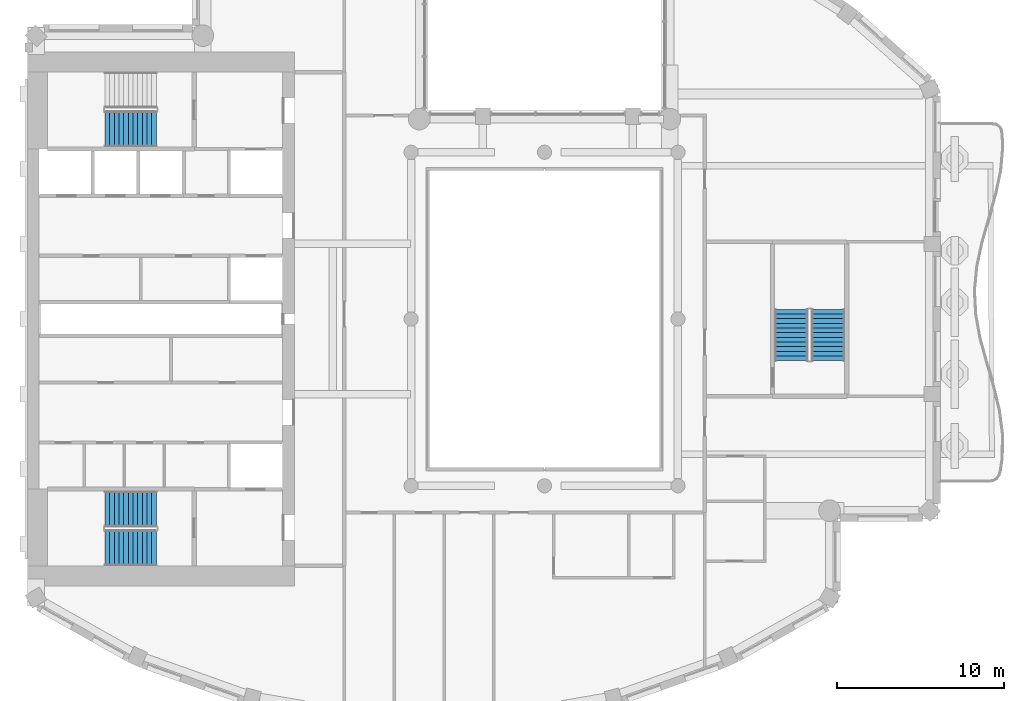
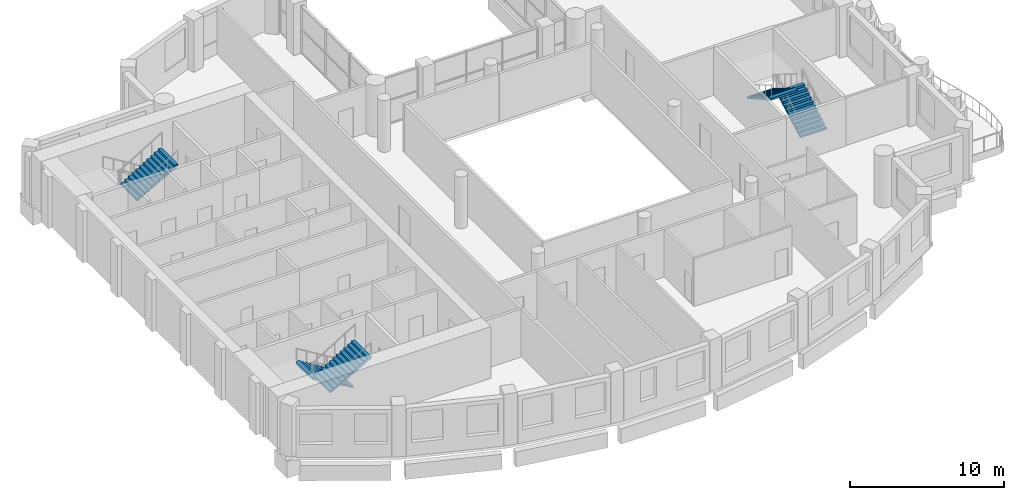
# One storey, part 9 of 15: 5 stair flights, 3 elements without a shape of their own.
"""IFC4 building model written with IfcOpenShell, lengths in metres."""

from ifc_helpers import new_model, si_unit, direction, frame, origin, place, context, subcontext, project, spatial, triangles, material, type_object, element, aggregate, save


model = new_model("IFC4")

# Units and contexts
model_context = context("Model", 3, precision=1e-05, world=origin(), true_north=direction((0.0, 1.0)))
body_context = subcontext(model_context, "Body", "Model", "MODEL_VIEW")
ifc_project = project(units=[si_unit("LENGTHUNIT", "METRE"), si_unit("AREAUNIT", "SQUARE_METRE"), si_unit("VOLUMEUNIT", "CUBIC_METRE"), si_unit("PLANEANGLEUNIT", "RADIAN"), si_unit("MASSUNIT", "GRAM", prefix="KILO")], contexts=[model_context])

# Site, building, storey
site_placement = place(None, origin())
site = spatial("IfcSite", under=ifc_project, at=site_placement, CompositionType="ELEMENT")
building_placement = place(site_placement, origin())
building = spatial("IfcBuilding", under=site, at=building_placement, Name="Cypress Arch Tower", CompositionType="ELEMENT")
storey_placement = place(building_placement, frame((0.0, 0.0, 243.39990234375)))
storey = spatial("IfcBuildingStorey", under=building, at=storey_placement, Name="L54", CompositionType="ELEMENT", Elevation=243.39990234375)

# Stair, stair flights
ifc_material_1 = material(Name="Concrete C40/50", Category="concrete")
stair_type_1 = type_object("IfcStairType", Name="Exit stair ES1708-200", PredefinedType="HALF_TURN_STAIR", material=ifc_material_1)
stair_1_placement = place(storey_placement, origin())
stair_1 = element("IfcStair", 1, at=stair_1_placement, inside=storey, type_object=stair_type_1, Name="L54 Exit stair C", PredefinedType="HALF_TURN_STAIR")
ifc_material_2 = material(Name="Concrete C40/50", Category="concrete")
stair_flight_type_1 = type_object("IfcStairFlightType", Name="Exit stair flight ES1708-200", PredefinedType="STRAIGHT", material=ifc_material_2)
stair_flight_1_placement = place(storey_placement, frame((18.0, -2.5, 0.0), z_axis=(0.0, 0.0, 1.0), x_axis=(0.0, 1.0, 0.0)))
stair_flight_1 = element("IfcStairFlight", 2, at=stair_flight_1_placement, type_object=stair_flight_type_1, Name="C flight 1", NumberOfRisers=12, NumberOfTreads=11, PredefinedType="STRAIGHT", RiserHeight=0.170833333, TreadLength=0.28, context=body_context, shape_type="Tessellation", body=[
    triangles([(0.0, -1.0, 0.0), (0.0, -1.0, 0.1708984375), (0.280029296875, -1.0, 0.1708984375), (0.280029296875, -1.0, 0.341552734375), (0.56005859375, -1.0, 0.341552734375), (0.56005859375, -1.0, 0.512451171875), (0.840087890625, -1.0, 0.512451171875), (0.840087890625, -1.0, 0.683349609375), (1.1201171875, -1.0, 0.683349609375), (1.1201171875, -1.0, 0.854248046875), (1.39990234375, -1.0, 0.854248046875), (1.39990234375, -1.0, 1.02490234375), (1.679931640625, -1.0, 1.02490234375), (1.679931640625, -1.0, 1.19580078125), (1.9599609375, -1.0, 1.19580078125), (1.9599609375, -1.0, 1.36669921875), (2.239990234375, -1.0, 1.36669921875), (2.239990234375, -1.0, 1.53759765625), (2.52001953125, -1.0, 1.53759765625), (2.52001953125, -1.0, 1.708251953125), (2.800048828125, -1.0, 1.708251953125), (2.800048828125, -1.0, 1.879150390625), (3.080078125, -1.0, 1.879150390625), (3.080078125, -1.0, 1.70361328125), (3.080078125, 1.0, 1.70361328125), (3.080078125, 1.0, 1.879150390625), (2.800048828125, 1.0, 1.879150390625), (2.800048828125, 1.0, 1.708251953125), (2.52001953125, 1.0, 1.708251953125), (2.52001953125, 1.0, 1.53759765625), (2.239990234375, 1.0, 1.53759765625), (2.239990234375, 1.0, 1.36669921875), (1.9599609375, 1.0, 1.36669921875), (1.9599609375, 1.0, 1.19580078125), (1.679931640625, 1.0, 1.19580078125), (1.679931640625, 1.0, 1.02490234375), (1.39990234375, 1.0, 1.02490234375), (1.39990234375, 1.0, 0.854248046875), (1.1201171875, 1.0, 0.854248046875), (1.1201171875, 1.0, 0.683349609375), (0.840087890625, 1.0, 0.683349609375), (0.840087890625, 1.0, 0.512451171875), (0.56005859375, 1.0, 0.512451171875), (0.56005859375, 1.0, 0.341552734375), (0.280029296875, 1.0, 0.341552734375), (0.280029296875, 1.0, 0.1708984375), (0.0, 1.0, 0.1708984375), (0.0, 1.0, 0.0), (3.080078125, 0.0, 1.879150390625), (3.080078125, 0.0, 1.70361328125), (2.800048828125, 0.0, 1.879150390625), (2.800048828125, 0.0, 1.708251953125), (2.52001953125, 0.0, 1.708251953125), (2.52001953125, 0.0, 1.53759765625), (2.239990234375, 0.0, 1.53759765625), (2.239990234375, 0.0, 1.36669921875), (1.9599609375, 0.0, 1.36669921875), (1.9599609375, 0.0, 1.19580078125), (1.679931640625, 0.0, 1.19580078125), (1.679931640625, 0.0, 1.02490234375), (1.39990234375, 0.0, 1.02490234375), (1.39990234375, 0.0, 0.854248046875), (1.1201171875, 0.0, 0.854248046875), (1.1201171875, 0.0, 0.683349609375), (0.840087890625, 0.0, 0.683349609375), (0.840087890625, 0.0, 0.512451171875), (0.56005859375, 0.0, 0.512451171875), (0.56005859375, 0.0, 0.341552734375), (0.280029296875, 0.0, 0.341552734375), (0.280029296875, 0.0, 0.1708984375), (0.0, 0.0, 0.1708984375), (0.0, 0.0, 0.0)], [[24, 23, 22], [11, 10, 9], [19, 18, 17], [17, 16, 15], [15, 14, 13], [9, 8, 7], [7, 6, 5], [3, 2, 1], [21, 20, 19], [13, 12, 11], [5, 4, 3], [24, 22, 21], [24, 21, 19], [24, 19, 17], [24, 17, 15], [24, 15, 13], [24, 13, 11], [24, 11, 9], [24, 9, 7], [24, 7, 5], [1, 24, 5], [5, 3, 1], [25, 27, 26], [38, 40, 39], [30, 32, 31], [32, 34, 33], [34, 36, 35], [40, 42, 41], [42, 44, 43], [46, 48, 47], [28, 30, 29], [36, 38, 37], [44, 46, 45], [25, 28, 27], [25, 30, 28], [25, 32, 30], [25, 34, 32], [25, 36, 34], [25, 38, 36], [25, 40, 38], [25, 42, 40], [25, 44, 42], [48, 44, 25], [44, 48, 46], [50, 49, 23], [50, 23, 24], [25, 26, 49], [25, 49, 50], [49, 51, 22], [49, 22, 23], [26, 27, 51], [26, 51, 49], [51, 52, 21], [51, 21, 22], [27, 28, 52], [27, 52, 51], [52, 53, 20], [52, 20, 21], [28, 29, 53], [28, 53, 52], [53, 54, 19], [53, 19, 20], [29, 30, 54], [29, 54, 53], [54, 55, 18], [54, 18, 19], [30, 31, 55], [30, 55, 54], [55, 56, 17], [55, 17, 18], [31, 32, 56], [31, 56, 55], [56, 57, 16], [56, 16, 17], [32, 33, 57], [32, 57, 56], [57, 58, 15], [57, 15, 16], [33, 34, 58], [33, 58, 57], [58, 59, 14], [58, 14, 15], [34, 35, 59], [34, 59, 58], [59, 60, 13], [59, 13, 14], [35, 36, 60], [35, 60, 59], [60, 61, 12], [60, 12, 13], [36, 37, 61], [36, 61, 60], [61, 62, 11], [61, 11, 12], [37, 38, 62], [37, 62, 61], [62, 63, 10], [62, 10, 11], [38, 39, 63], [38, 63, 62], [63, 64, 9], [63, 9, 10], [39, 40, 64], [39, 64, 63], [64, 65, 8], [64, 8, 9], [40, 41, 65], [40, 65, 64], [65, 66, 7], [65, 7, 8], [41, 42, 66], [41, 66, 65], [66, 67, 6], [66, 6, 7], [42, 43, 67], [42, 67, 66], [67, 68, 5], [67, 5, 6], [43, 44, 68], [43, 68, 67], [68, 69, 4], [68, 4, 5], [44, 45, 69], [44, 69, 68], [69, 70, 3], [69, 3, 4], [45, 46, 70], [45, 70, 69], [70, 71, 2], [70, 2, 3], [46, 47, 71], [46, 71, 70], [71, 72, 1], [71, 1, 2], [47, 48, 72], [47, 72, 71], [72, 50, 24], [72, 24, 1], [48, 25, 50], [48, 50, 72]], closed=True),
])
stair_flight_2_placement = place(storey_placement, frame((15.800048828125, 0.580078125, 2.050048828125), z_axis=(0.0, 0.0, 1.0), x_axis=(0.0, -1.0, 0.0)))
stair_flight_2 = element("IfcStairFlight", 3, at=stair_flight_2_placement, type_object=stair_flight_type_1, Name="C flight 2", NumberOfRisers=12, NumberOfTreads=11, PredefinedType="STRAIGHT", RiserHeight=0.170833333, TreadLength=0.28, context=body_context, shape_type="Tessellation", body=[
    triangles([(0.0, -1.0, 0.0), (0.0, -1.0, 0.1708984375), (0.280029296875, -1.0, 0.1708984375), (0.280029296875, -1.0, 0.341552734375), (0.56005859375, -1.0, 0.341552734375), (0.56005859375, -1.0, 0.512451171875), (0.840087890625, -1.0, 0.512451171875), (0.840087890625, -1.0, 0.683349609375), (1.1201171875, -1.0, 0.683349609375), (1.1201171875, -1.0, 0.854248046875), (1.39990234375, -1.0, 0.854248046875), (1.39990234375, -1.0, 1.02490234375), (1.679931640625, -1.0, 1.02490234375), (1.679931640625, -1.0, 1.19580078125), (1.9599609375, -1.0, 1.19580078125), (1.9599609375, -1.0, 1.36669921875), (2.239990234375, -1.0, 1.36669921875), (2.239990234375, -1.0, 1.53759765625), (2.52001953125, -1.0, 1.53759765625), (2.52001953125, -1.0, 1.708251953125), (2.800048828125, -1.0, 1.708251953125), (2.800048828125, -1.0, 1.879150390625), (3.080078125, -1.0, 1.879150390625), (3.080078125, -1.0, 1.70361328125), (3.080078125, 1.0, 1.70361328125), (3.080078125, 1.0, 1.879150390625), (2.800048828125, 1.0, 1.879150390625), (2.800048828125, 1.0, 1.708251953125), (2.52001953125, 1.0, 1.708251953125), (2.52001953125, 1.0, 1.53759765625), (2.239990234375, 1.0, 1.53759765625), (2.239990234375, 1.0, 1.36669921875), (1.9599609375, 1.0, 1.36669921875), (1.9599609375, 1.0, 1.19580078125), (1.679931640625, 1.0, 1.19580078125), (1.679931640625, 1.0, 1.02490234375), (1.39990234375, 1.0, 1.02490234375), (1.39990234375, 1.0, 0.854248046875), (1.1201171875, 1.0, 0.854248046875), (1.1201171875, 1.0, 0.683349609375), (0.840087890625, 1.0, 0.683349609375), (0.840087890625, 1.0, 0.512451171875), (0.56005859375, 1.0, 0.512451171875), (0.56005859375, 1.0, 0.341552734375), (0.280029296875, 1.0, 0.341552734375), (0.280029296875, 1.0, 0.1708984375), (0.0, 1.0, 0.1708984375), (0.0, 1.0, 0.0), (3.080078125, 0.0, 1.879150390625), (3.080078125, 0.0, 1.70361328125), (2.800048828125, 0.0, 1.879150390625), (2.800048828125, 0.0, 1.708251953125), (2.52001953125, 0.0, 1.708251953125), (2.52001953125, 0.0, 1.53759765625), (2.239990234375, 0.0, 1.53759765625), (2.239990234375, 0.0, 1.36669921875), (1.9599609375, 0.0, 1.36669921875), (1.9599609375, 0.0, 1.19580078125), (1.679931640625, 0.0, 1.19580078125), (1.679931640625, 0.0, 1.02490234375), (1.39990234375, 0.0, 1.02490234375), (1.39990234375, 0.0, 0.854248046875), (1.1201171875, 0.0, 0.854248046875), (1.1201171875, 0.0, 0.683349609375), (0.840087890625, 0.0, 0.683349609375), (0.840087890625, 0.0, 0.512451171875), (0.56005859375, 0.0, 0.512451171875), (0.56005859375, 0.0, 0.341552734375), (0.280029296875, 0.0, 0.341552734375), (0.280029296875, 0.0, 0.1708984375), (0.0, 0.0, 0.1708984375), (0.0, 0.0, 0.0)], [[24, 23, 22], [11, 10, 9], [19, 18, 17], [17, 16, 15], [15, 14, 13], [9, 8, 7], [7, 6, 5], [3, 2, 1], [21, 20, 19], [13, 12, 11], [5, 4, 3], [24, 22, 21], [24, 21, 19], [24, 19, 17], [24, 17, 15], [24, 15, 13], [24, 13, 11], [24, 11, 9], [24, 9, 7], [24, 7, 5], [1, 24, 5], [5, 3, 1], [25, 27, 26], [38, 40, 39], [30, 32, 31], [32, 34, 33], [34, 36, 35], [40, 42, 41], [42, 44, 43], [46, 48, 47], [28, 30, 29], [36, 38, 37], [44, 46, 45], [25, 28, 27], [25, 30, 28], [25, 32, 30], [25, 34, 32], [25, 36, 34], [25, 38, 36], [25, 40, 38], [25, 42, 40], [25, 44, 42], [48, 44, 25], [44, 48, 46], [50, 49, 23], [50, 23, 24], [25, 26, 49], [25, 49, 50], [49, 51, 22], [49, 22, 23], [26, 27, 51], [26, 51, 49], [51, 52, 21], [51, 21, 22], [27, 28, 52], [27, 52, 51], [52, 53, 20], [52, 20, 21], [28, 29, 53], [28, 53, 52], [53, 54, 19], [53, 19, 20], [29, 30, 54], [29, 54, 53], [54, 55, 18], [54, 18, 19], [30, 31, 55], [30, 55, 54], [55, 56, 17], [55, 17, 18], [31, 32, 56], [31, 56, 55], [56, 57, 16], [56, 16, 17], [32, 33, 57], [32, 57, 56], [57, 58, 15], [57, 15, 16], [33, 34, 58], [33, 58, 57], [58, 59, 14], [58, 14, 15], [34, 35, 59], [34, 59, 58], [59, 60, 13], [59, 13, 14], [35, 36, 60], [35, 60, 59], [60, 61, 12], [60, 12, 13], [36, 37, 61], [36, 61, 60], [61, 62, 11], [61, 11, 12], [37, 38, 62], [37, 62, 61], [62, 63, 10], [62, 10, 11], [38, 39, 63], [38, 63, 62], [63, 64, 9], [63, 9, 10], [39, 40, 64], [39, 64, 63], [64, 65, 8], [64, 8, 9], [40, 41, 65], [40, 65, 64], [65, 66, 7], [65, 7, 8], [41, 42, 66], [41, 66, 65], [66, 67, 6], [66, 6, 7], [42, 43, 67], [42, 67, 66], [67, 68, 5], [67, 5, 6], [43, 44, 68], [43, 68, 67], [68, 69, 4], [68, 4, 5], [44, 45, 69], [44, 69, 68], [69, 70, 3], [69, 3, 4], [45, 46, 70], [45, 70, 69], [70, 71, 2], [70, 2, 3], [46, 47, 71], [46, 71, 70], [71, 72, 1], [71, 1, 2], [47, 48, 72], [47, 72, 71], [72, 50, 24], [72, 24, 1], [48, 25, 50], [48, 50, 72]], closed=True),
])
aggregate(stair_1, [stair_flight_1, stair_flight_2])

ifc_material_3 = material(Name="Concrete C40/50", Category="concrete")
stair_type_2 = type_object("IfcStairType", Name="Exit stair ES1708-215", PredefinedType="HALF_TURN_STAIR", material=ifc_material_3)
stair_2_placement = place(storey_placement, origin())
stair_2 = element("IfcStair", 4, at=stair_2_placement, inside=storey, type_object=stair_type_2, Name="L54 Exit stair A", PredefinedType="HALF_TURN_STAIR")
ifc_material_4 = material(Name="Concrete C40/50", Category="concrete")
stair_flight_type_2 = type_object("IfcStairFlightType", Name="Exit stair flight ES1708-215", PredefinedType="STRAIGHT", material=ifc_material_4)
stair_flight_3_placement = place(storey_placement, frame((-22.27490234375, -11.39990234375, 0.0), z_axis=(0.0, 0.0, 1.0), x_axis=(-1.0, 0.0, 0.0)))
stair_flight_3 = element("IfcStairFlight", 5, at=stair_flight_3_placement, type_object=stair_flight_type_2, Name="A flight 1", NumberOfRisers=12, NumberOfTreads=11, PredefinedType="STRAIGHT", RiserHeight=0.170833333, TreadLength=0.28, context=body_context, shape_type="Tessellation", body=[
    triangles([(0.0, -1.074951171875, 0.0), (0.000244140625, -1.074951171875, 0.01904296875), (0.000244140625, -1.074951171875, 0.0380859375), (0.00048828125, -1.074951171875, 0.056884765625), (0.00048828125, -1.074951171875, 0.075927734375), (0.00048828125, -1.074951171875, 0.094970703125), (0.00048828125, -1.074951171875, 0.114013671875), (0.000244140625, -1.074951171875, 0.1328125), (0.000244140625, -1.074951171875, 0.15185546875), (0.0, -1.074951171875, 0.1708984375), (0.280029296875, -1.074951171875, 0.1708984375), (0.280029296875, -1.074951171875, 0.341552734375), (0.56005859375, -1.074951171875, 0.341552734375), (0.56005859375, -1.074951171875, 0.512451171875), (0.840087890625, -1.074951171875, 0.512451171875), (0.840087890625, -1.074951171875, 0.683349609375), (1.1201171875, -1.074951171875, 0.683349609375), (1.1201171875, -1.074951171875, 0.854248046875), (1.39990234375, -1.074951171875, 0.854248046875), (1.39990234375, -1.074951171875, 1.02490234375), (1.679931640625, -1.074951171875, 1.02490234375), (1.679931640625, -1.074951171875, 1.19580078125), (1.9599609375, -1.074951171875, 1.19580078125), (1.9599609375, -1.074951171875, 1.36669921875), (2.239990234375, -1.074951171875, 1.36669921875), (2.239990234375, -1.074951171875, 1.53759765625), (2.52001953125, -1.074951171875, 1.53759765625), (2.52001953125, -1.074951171875, 1.708251953125), (2.800048828125, -1.074951171875, 1.708251953125), (2.800048828125, -1.074951171875, 1.879150390625), (3.080078125, -1.074951171875, 1.879150390625), (3.079833984375, -1.074951171875, 1.859619140625), (3.079833984375, -1.074951171875, 1.840087890625), (3.07958984375, -1.074951171875, 1.820556640625), (3.07958984375, -1.074951171875, 1.801025390625), (3.07958984375, -1.074951171875, 1.78173828125), (3.07958984375, -1.074951171875, 1.76220703125), (3.079833984375, -1.074951171875, 1.74267578125), (3.079833984375, -1.074951171875, 1.72314453125), (3.080078125, -1.074951171875, 1.70361328125), (3.080078125, 1.074951171875, 1.70361328125), (3.079833984375, 1.074951171875, 1.72314453125), (3.079833984375, 1.074951171875, 1.74267578125), (3.07958984375, 1.074951171875, 1.76220703125), (3.07958984375, 1.074951171875, 1.78173828125), (3.07958984375, 1.074951171875, 1.801025390625), (3.07958984375, 1.074951171875, 1.820556640625), (3.079833984375, 1.074951171875, 1.840087890625), (3.079833984375, 1.074951171875, 1.859619140625), (3.080078125, 1.074951171875, 1.879150390625), (2.800048828125, 1.074951171875, 1.879150390625), (2.800048828125, 1.074951171875, 1.708251953125), (2.52001953125, 1.074951171875, 1.708251953125), (2.52001953125, 1.074951171875, 1.53759765625), (2.239990234375, 1.074951171875, 1.53759765625), (2.239990234375, 1.074951171875, 1.36669921875), (1.9599609375, 1.074951171875, 1.36669921875), (1.9599609375, 1.074951171875, 1.19580078125), (1.679931640625, 1.074951171875, 1.19580078125), (1.679931640625, 1.074951171875, 1.02490234375), (1.39990234375, 1.074951171875, 1.02490234375), (1.39990234375, 1.074951171875, 0.854248046875), (1.1201171875, 1.074951171875, 0.854248046875), (1.1201171875, 1.074951171875, 0.683349609375), (0.840087890625, 1.074951171875, 0.683349609375), (0.840087890625, 1.074951171875, 0.512451171875), (0.56005859375, 1.074951171875, 0.512451171875), (0.56005859375, 1.074951171875, 0.341552734375), (0.280029296875, 1.074951171875, 0.341552734375), (0.280029296875, 1.074951171875, 0.1708984375), (0.0, 1.074951171875, 0.1708984375), (0.000244140625, 1.074951171875, 0.15185546875), (0.000244140625, 1.074951171875, 0.1328125), (0.00048828125, 1.074951171875, 0.114013671875), (0.00048828125, 1.074951171875, 0.094970703125), (0.00048828125, 1.074951171875, 0.075927734375), (0.00048828125, 1.074951171875, 0.056884765625), (0.000244140625, 1.074951171875, 0.0380859375), (0.000244140625, 1.074951171875, 0.01904296875), (0.0, 1.074951171875, 0.0)], [[40, 39, 30], [39, 38, 30], [38, 37, 30], [37, 36, 30], [36, 35, 30], [35, 34, 30], [34, 33, 30], [33, 32, 30], [32, 31, 30], [19, 18, 17], [27, 26, 25], [25, 24, 23], [23, 22, 21], [17, 16, 15], [15, 14, 13], [10, 9, 11], [9, 8, 11], [8, 7, 11], [7, 6, 11], [6, 5, 11], [5, 4, 11], [4, 3, 11], [3, 2, 11], [2, 1, 11], [29, 28, 27], [21, 20, 19], [13, 12, 11], [40, 30, 29], [40, 29, 27], [40, 27, 25], [40, 25, 23], [40, 23, 21], [40, 21, 19], [40, 19, 17], [40, 17, 15], [40, 15, 13], [1, 40, 13], [13, 11, 1], [41, 51, 42], [42, 51, 43], [43, 51, 44], [44, 51, 45], [45, 51, 46], [46, 51, 47], [47, 51, 48], [48, 51, 49], [49, 51, 50], [62, 64, 63], [54, 56, 55], [56, 58, 57], [58, 60, 59], [64, 66, 65], [66, 68, 67], [71, 70, 72], [72, 70, 73], [73, 70, 74], [74, 70, 75], [75, 70, 76], [76, 70, 77], [77, 70, 78], [78, 70, 79], [79, 70, 80], [52, 54, 53], [60, 62, 61], [68, 70, 69], [41, 52, 51], [41, 54, 52], [41, 56, 54], [41, 58, 56], [41, 60, 58], [41, 62, 60], [41, 64, 62], [41, 66, 64], [41, 68, 66], [80, 68, 41], [68, 80, 70], [41, 42, 39], [41, 39, 40], [42, 43, 38], [42, 38, 39], [43, 44, 37], [43, 37, 38], [44, 45, 36], [44, 36, 37], [45, 46, 35], [45, 35, 36], [46, 47, 34], [46, 34, 35], [47, 48, 33], [47, 33, 34], [48, 49, 32], [48, 32, 33], [49, 50, 31], [49, 31, 32], [50, 51, 30], [50, 30, 31], [51, 52, 29], [51, 29, 30], [52, 53, 28], [52, 28, 29], [53, 54, 27], [53, 27, 28], [54, 55, 26], [54, 26, 27], [55, 56, 25], [55, 25, 26], [56, 57, 24], [56, 24, 25], [57, 58, 23], [57, 23, 24], [58, 59, 22], [58, 22, 23], [59, 60, 21], [59, 21, 22], [60, 61, 20], [60, 20, 21], [61, 62, 19], [61, 19, 20], [62, 63, 18], [62, 18, 19], [63, 64, 17], [63, 17, 18], [64, 65, 16], [64, 16, 17], [65, 66, 15], [65, 15, 16], [66, 67, 14], [66, 14, 15], [67, 68, 13], [67, 13, 14], [68, 69, 12], [68, 12, 13], [69, 70, 11], [69, 11, 12], [70, 71, 10], [70, 10, 11], [71, 72, 9], [71, 9, 10], [72, 73, 8], [72, 8, 9], [73, 74, 7], [73, 7, 8], [74, 75, 6], [74, 6, 7], [75, 76, 5], [75, 5, 6], [76, 77, 4], [76, 4, 5], [77, 78, 3], [77, 3, 4], [78, 79, 2], [78, 2, 3], [79, 80, 1], [79, 1, 2], [80, 41, 40], [80, 40, 1]], closed=True),
])
stair_flight_4_placement = place(storey_placement, frame((-25.35498046875, -13.72509765625, 2.050048828125), z_axis=(0.0, 0.0, 1.0), x_axis=(1.0, 0.0, 0.0)))
stair_flight_4 = element("IfcStairFlight", 6, at=stair_flight_4_placement, type_object=stair_flight_type_2, Name="A flight 2", NumberOfRisers=12, NumberOfTreads=11, PredefinedType="STRAIGHT", RiserHeight=0.170833333, TreadLength=0.28, context=body_context, shape_type="Tessellation", body=[
    triangles([(0.0, -1.074951171875, 0.0), (0.000244140625, -1.074951171875, 0.01904296875), (0.000244140625, -1.074951171875, 0.0380859375), (0.00048828125, -1.074951171875, 0.056884765625), (0.00048828125, -1.074951171875, 0.075927734375), (0.00048828125, -1.074951171875, 0.094970703125), (0.00048828125, -1.074951171875, 0.114013671875), (0.000244140625, -1.074951171875, 0.1328125), (0.000244140625, -1.074951171875, 0.15185546875), (0.0, -1.074951171875, 0.1708984375), (0.280029296875, -1.074951171875, 0.1708984375), (0.280029296875, -1.074951171875, 0.341552734375), (0.56005859375, -1.074951171875, 0.341552734375), (0.56005859375, -1.074951171875, 0.512451171875), (0.840087890625, -1.074951171875, 0.512451171875), (0.840087890625, -1.074951171875, 0.683349609375), (1.1201171875, -1.074951171875, 0.683349609375), (1.1201171875, -1.074951171875, 0.854248046875), (1.39990234375, -1.074951171875, 0.854248046875), (1.39990234375, -1.074951171875, 1.02490234375), (1.679931640625, -1.074951171875, 1.02490234375), (1.679931640625, -1.074951171875, 1.19580078125), (1.9599609375, -1.074951171875, 1.19580078125), (1.9599609375, -1.074951171875, 1.36669921875), (2.239990234375, -1.074951171875, 1.36669921875), (2.239990234375, -1.074951171875, 1.53759765625), (2.52001953125, -1.074951171875, 1.53759765625), (2.52001953125, -1.074951171875, 1.708251953125), (2.800048828125, -1.074951171875, 1.708251953125), (2.800048828125, -1.074951171875, 1.879150390625), (3.080078125, -1.074951171875, 1.879150390625), (3.079833984375, -1.074951171875, 1.859619140625), (3.079833984375, -1.074951171875, 1.840087890625), (3.07958984375, -1.074951171875, 1.820556640625), (3.07958984375, -1.074951171875, 1.801025390625), (3.07958984375, -1.074951171875, 1.78173828125), (3.07958984375, -1.074951171875, 1.76220703125), (3.079833984375, -1.074951171875, 1.74267578125), (3.079833984375, -1.074951171875, 1.72314453125), (3.080078125, -1.074951171875, 1.70361328125), (3.080078125, 1.074951171875, 1.70361328125), (3.079833984375, 1.074951171875, 1.72314453125), (3.079833984375, 1.074951171875, 1.74267578125), (3.07958984375, 1.074951171875, 1.76220703125), (3.07958984375, 1.074951171875, 1.78173828125), (3.07958984375, 1.074951171875, 1.801025390625), (3.07958984375, 1.074951171875, 1.820556640625), (3.079833984375, 1.074951171875, 1.840087890625), (3.079833984375, 1.074951171875, 1.859619140625), (3.080078125, 1.074951171875, 1.879150390625), (2.800048828125, 1.074951171875, 1.879150390625), (2.800048828125, 1.074951171875, 1.708251953125), (2.52001953125, 1.074951171875, 1.708251953125), (2.52001953125, 1.074951171875, 1.53759765625), (2.239990234375, 1.074951171875, 1.53759765625), (2.239990234375, 1.074951171875, 1.36669921875), (1.9599609375, 1.074951171875, 1.36669921875), (1.9599609375, 1.074951171875, 1.19580078125), (1.679931640625, 1.074951171875, 1.19580078125), (1.679931640625, 1.074951171875, 1.02490234375), (1.39990234375, 1.074951171875, 1.02490234375), (1.39990234375, 1.074951171875, 0.854248046875), (1.1201171875, 1.074951171875, 0.854248046875), (1.1201171875, 1.074951171875, 0.683349609375), (0.840087890625, 1.074951171875, 0.683349609375), (0.840087890625, 1.074951171875, 0.512451171875), (0.56005859375, 1.074951171875, 0.512451171875), (0.56005859375, 1.074951171875, 0.341552734375), (0.280029296875, 1.074951171875, 0.341552734375), (0.280029296875, 1.074951171875, 0.1708984375), (0.0, 1.074951171875, 0.1708984375), (0.000244140625, 1.074951171875, 0.15185546875), (0.000244140625, 1.074951171875, 0.1328125), (0.00048828125, 1.074951171875, 0.114013671875), (0.00048828125, 1.074951171875, 0.094970703125), (0.00048828125, 1.074951171875, 0.075927734375), (0.00048828125, 1.074951171875, 0.056884765625), (0.000244140625, 1.074951171875, 0.0380859375), (0.000244140625, 1.074951171875, 0.01904296875), (0.0, 1.074951171875, 0.0)], [[40, 39, 30], [39, 38, 30], [38, 37, 30], [37, 36, 30], [36, 35, 30], [35, 34, 30], [34, 33, 30], [33, 32, 30], [32, 31, 30], [19, 18, 17], [27, 26, 25], [25, 24, 23], [23, 22, 21], [17, 16, 15], [15, 14, 13], [10, 9, 11], [9, 8, 11], [8, 7, 11], [7, 6, 11], [6, 5, 11], [5, 4, 11], [4, 3, 11], [3, 2, 11], [2, 1, 11], [29, 28, 27], [21, 20, 19], [13, 12, 11], [40, 30, 29], [40, 29, 27], [40, 27, 25], [40, 25, 23], [40, 23, 21], [40, 21, 19], [40, 19, 17], [40, 17, 15], [40, 15, 13], [1, 40, 13], [13, 11, 1], [41, 51, 42], [42, 51, 43], [43, 51, 44], [44, 51, 45], [45, 51, 46], [46, 51, 47], [47, 51, 48], [48, 51, 49], [49, 51, 50], [62, 64, 63], [54, 56, 55], [56, 58, 57], [58, 60, 59], [64, 66, 65], [66, 68, 67], [71, 70, 72], [72, 70, 73], [73, 70, 74], [74, 70, 75], [75, 70, 76], [76, 70, 77], [77, 70, 78], [78, 70, 79], [79, 70, 80], [52, 54, 53], [60, 62, 61], [68, 70, 69], [41, 52, 51], [41, 54, 52], [41, 56, 54], [41, 58, 56], [41, 60, 58], [41, 62, 60], [41, 64, 62], [41, 66, 64], [41, 68, 66], [80, 68, 41], [68, 80, 70], [41, 42, 39], [41, 39, 40], [42, 43, 38], [42, 38, 39], [43, 44, 37], [43, 37, 38], [44, 45, 36], [44, 36, 37], [45, 46, 35], [45, 35, 36], [46, 47, 34], [46, 34, 35], [47, 48, 33], [47, 33, 34], [48, 49, 32], [48, 32, 33], [49, 50, 31], [49, 31, 32], [50, 51, 30], [50, 30, 31], [51, 52, 29], [51, 29, 30], [52, 53, 28], [52, 28, 29], [53, 54, 27], [53, 27, 28], [54, 55, 26], [54, 26, 27], [55, 56, 25], [55, 25, 26], [56, 57, 24], [56, 24, 25], [57, 58, 23], [57, 23, 24], [58, 59, 22], [58, 22, 23], [59, 60, 21], [59, 21, 22], [60, 61, 20], [60, 20, 21], [61, 62, 19], [61, 19, 20], [62, 63, 18], [62, 18, 19], [63, 64, 17], [63, 17, 18], [64, 65, 16], [64, 16, 17], [65, 66, 15], [65, 15, 16], [66, 67, 14], [66, 14, 15], [67, 68, 13], [67, 13, 14], [68, 69, 12], [68, 12, 13], [69, 70, 11], [69, 11, 12], [70, 71, 10], [70, 10, 11], [71, 72, 9], [71, 9, 10], [72, 73, 8], [72, 8, 9], [73, 74, 7], [73, 7, 8], [74, 75, 6], [74, 6, 7], [75, 76, 5], [75, 5, 6], [76, 77, 4], [76, 4, 5], [77, 78, 3], [77, 3, 4], [78, 79, 2], [78, 2, 3], [79, 80, 1], [79, 1, 2], [80, 41, 40], [80, 40, 1]], closed=True),
])
aggregate(stair_2, [stair_flight_3, stair_flight_4])

# Stair, stair flight
stair_3_placement = place(storey_placement, origin())
stair_3 = element("IfcStair", 7, at=stair_3_placement, inside=storey, type_object=stair_type_2, Name="L54 Exit stair B", PredefinedType="HALF_TURN_STAIR")
stair_flight_5_placement = place(storey_placement, frame((-25.35498046875, 11.39990234375, 2.050048828125), z_axis=(0.0, 0.0, 1.0), x_axis=(1.0, 0.0, 0.0)))
stair_flight_5 = element("IfcStairFlight", 8, at=stair_flight_5_placement, type_object=stair_flight_type_2, Name="B flight 2", NumberOfRisers=12, NumberOfTreads=11, PredefinedType="STRAIGHT", RiserHeight=0.170833333, TreadLength=0.28, context=body_context, shape_type="Tessellation", body=[
    triangles([(0.0, -1.074951171875, 0.0), (0.000244140625, -1.074951171875, 0.01904296875), (0.000244140625, -1.074951171875, 0.0380859375), (0.00048828125, -1.074951171875, 0.056884765625), (0.00048828125, -1.074951171875, 0.075927734375), (0.00048828125, -1.074951171875, 0.094970703125), (0.00048828125, -1.074951171875, 0.114013671875), (0.000244140625, -1.074951171875, 0.1328125), (0.000244140625, -1.074951171875, 0.15185546875), (0.0, -1.074951171875, 0.1708984375), (0.280029296875, -1.074951171875, 0.1708984375), (0.280029296875, -1.074951171875, 0.341552734375), (0.56005859375, -1.074951171875, 0.341552734375), (0.56005859375, -1.074951171875, 0.512451171875), (0.840087890625, -1.074951171875, 0.512451171875), (0.840087890625, -1.074951171875, 0.683349609375), (1.1201171875, -1.074951171875, 0.683349609375), (1.1201171875, -1.074951171875, 0.854248046875), (1.39990234375, -1.074951171875, 0.854248046875), (1.39990234375, -1.074951171875, 1.02490234375), (1.679931640625, -1.074951171875, 1.02490234375), (1.679931640625, -1.074951171875, 1.19580078125), (1.9599609375, -1.074951171875, 1.19580078125), (1.9599609375, -1.074951171875, 1.36669921875), (2.239990234375, -1.074951171875, 1.36669921875), (2.239990234375, -1.074951171875, 1.53759765625), (2.52001953125, -1.074951171875, 1.53759765625), (2.52001953125, -1.074951171875, 1.708251953125), (2.800048828125, -1.074951171875, 1.708251953125), (2.800048828125, -1.074951171875, 1.879150390625), (3.080078125, -1.074951171875, 1.879150390625), (3.079833984375, -1.074951171875, 1.859619140625), (3.079833984375, -1.074951171875, 1.840087890625), (3.07958984375, -1.074951171875, 1.820556640625), (3.07958984375, -1.074951171875, 1.801025390625), (3.07958984375, -1.074951171875, 1.78173828125), (3.07958984375, -1.074951171875, 1.76220703125), (3.079833984375, -1.074951171875, 1.74267578125), (3.079833984375, -1.074951171875, 1.72314453125), (3.080078125, -1.074951171875, 1.70361328125), (3.080078125, 1.074951171875, 1.70361328125), (3.079833984375, 1.074951171875, 1.72314453125), (3.079833984375, 1.074951171875, 1.74267578125), (3.07958984375, 1.074951171875, 1.76220703125), (3.07958984375, 1.074951171875, 1.78173828125), (3.07958984375, 1.074951171875, 1.801025390625), (3.07958984375, 1.074951171875, 1.820556640625), (3.079833984375, 1.074951171875, 1.840087890625), (3.079833984375, 1.074951171875, 1.859619140625), (3.080078125, 1.074951171875, 1.879150390625), (2.800048828125, 1.074951171875, 1.879150390625), (2.800048828125, 1.074951171875, 1.708251953125), (2.52001953125, 1.074951171875, 1.708251953125), (2.52001953125, 1.074951171875, 1.53759765625), (2.239990234375, 1.074951171875, 1.53759765625), (2.239990234375, 1.074951171875, 1.36669921875), (1.9599609375, 1.074951171875, 1.36669921875), (1.9599609375, 1.074951171875, 1.19580078125), (1.679931640625, 1.074951171875, 1.19580078125), (1.679931640625, 1.074951171875, 1.02490234375), (1.39990234375, 1.074951171875, 1.02490234375), (1.39990234375, 1.074951171875, 0.854248046875), (1.1201171875, 1.074951171875, 0.854248046875), (1.1201171875, 1.074951171875, 0.683349609375), (0.840087890625, 1.074951171875, 0.683349609375), (0.840087890625, 1.074951171875, 0.512451171875), (0.56005859375, 1.074951171875, 0.512451171875), (0.56005859375, 1.074951171875, 0.341552734375), (0.280029296875, 1.074951171875, 0.341552734375), (0.280029296875, 1.074951171875, 0.1708984375), (0.0, 1.074951171875, 0.1708984375), (0.000244140625, 1.074951171875, 0.15185546875), (0.000244140625, 1.074951171875, 0.1328125), (0.00048828125, 1.074951171875, 0.114013671875), (0.00048828125, 1.074951171875, 0.094970703125), (0.00048828125, 1.074951171875, 0.075927734375), (0.00048828125, 1.074951171875, 0.056884765625), (0.000244140625, 1.074951171875, 0.0380859375), (0.000244140625, 1.074951171875, 0.01904296875), (0.0, 1.074951171875, 0.0)], [[40, 39, 30], [39, 38, 30], [38, 37, 30], [37, 36, 30], [36, 35, 30], [35, 34, 30], [34, 33, 30], [33, 32, 30], [32, 31, 30], [19, 18, 17], [27, 26, 25], [25, 24, 23], [23, 22, 21], [17, 16, 15], [15, 14, 13], [10, 9, 11], [9, 8, 11], [8, 7, 11], [7, 6, 11], [6, 5, 11], [5, 4, 11], [4, 3, 11], [3, 2, 11], [2, 1, 11], [29, 28, 27], [21, 20, 19], [13, 12, 11], [40, 30, 29], [40, 29, 27], [40, 27, 25], [40, 25, 23], [40, 23, 21], [40, 21, 19], [40, 19, 17], [40, 17, 15], [40, 15, 13], [1, 40, 13], [13, 11, 1], [41, 51, 42], [42, 51, 43], [43, 51, 44], [44, 51, 45], [45, 51, 46], [46, 51, 47], [47, 51, 48], [48, 51, 49], [49, 51, 50], [62, 64, 63], [54, 56, 55], [56, 58, 57], [58, 60, 59], [64, 66, 65], [66, 68, 67], [71, 70, 72], [72, 70, 73], [73, 70, 74], [74, 70, 75], [75, 70, 76], [76, 70, 77], [77, 70, 78], [78, 70, 79], [79, 70, 80], [52, 54, 53], [60, 62, 61], [68, 70, 69], [41, 52, 51], [41, 54, 52], [41, 56, 54], [41, 58, 56], [41, 60, 58], [41, 62, 60], [41, 64, 62], [41, 66, 64], [41, 68, 66], [80, 68, 41], [68, 80, 70], [41, 42, 39], [41, 39, 40], [42, 43, 38], [42, 38, 39], [43, 44, 37], [43, 37, 38], [44, 45, 36], [44, 36, 37], [45, 46, 35], [45, 35, 36], [46, 47, 34], [46, 34, 35], [47, 48, 33], [47, 33, 34], [48, 49, 32], [48, 32, 33], [49, 50, 31], [49, 31, 32], [50, 51, 30], [50, 30, 31], [51, 52, 29], [51, 29, 30], [52, 53, 28], [52, 28, 29], [53, 54, 27], [53, 27, 28], [54, 55, 26], [54, 26, 27], [55, 56, 25], [55, 25, 26], [56, 57, 24], [56, 24, 25], [57, 58, 23], [57, 23, 24], [58, 59, 22], [58, 22, 23], [59, 60, 21], [59, 21, 22], [60, 61, 20], [60, 20, 21], [61, 62, 19], [61, 19, 20], [62, 63, 18], [62, 18, 19], [63, 64, 17], [63, 17, 18], [64, 65, 16], [64, 16, 17], [65, 66, 15], [65, 15, 16], [66, 67, 14], [66, 14, 15], [67, 68, 13], [67, 13, 14], [68, 69, 12], [68, 12, 13], [69, 70, 11], [69, 11, 12], [70, 71, 10], [70, 10, 11], [71, 72, 9], [71, 9, 10], [72, 73, 8], [72, 8, 9], [73, 74, 7], [73, 7, 8], [74, 75, 6], [74, 6, 7], [75, 76, 5], [75, 5, 6], [76, 77, 4], [76, 4, 5], [77, 78, 3], [77, 3, 4], [78, 79, 2], [78, 2, 3], [79, 80, 1], [79, 1, 2], [80, 41, 40], [80, 40, 1]], closed=True),
])
aggregate(stair_3, [stair_flight_5])

save(model, "model.ifc")
